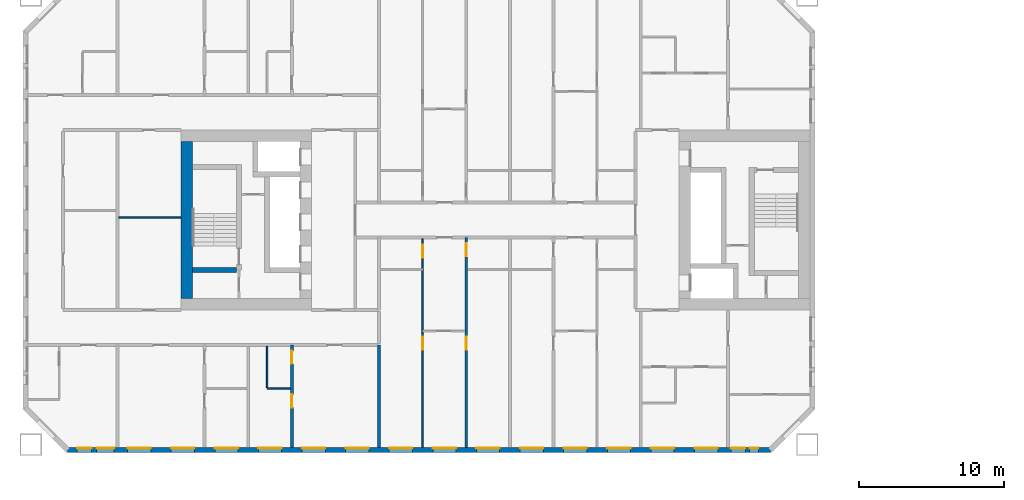
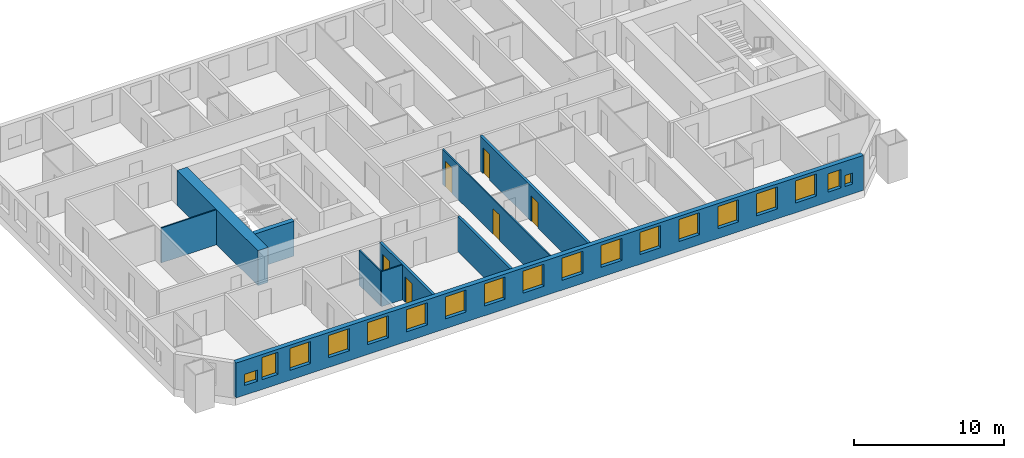
# One storey, part 3 of 17: 18 windows, 10 walls, 6 doors, 24 openings.
"""IFC4 building model written with IfcOpenShell, lengths in metres."""

from ifc_helpers import new_model, si_unit, direction, frame, frame_2d, origin, place, context, subcontext, project, spatial, rectangle, extrude, material, layer, layer_set, type_object, element, fill, save


model = new_model("IFC4")

# Units and contexts
model_context = context("Model", 3, precision=1e-05, world=origin(), true_north=direction((0.0, 1.0)))
body_context = subcontext(model_context, "Body", "Model", "MODEL_VIEW")
ifc_project = project(units=[si_unit("LENGTHUNIT", "METRE"), si_unit("AREAUNIT", "SQUARE_METRE"), si_unit("VOLUMEUNIT", "CUBIC_METRE"), si_unit("PLANEANGLEUNIT", "RADIAN"), si_unit("MASSUNIT", "GRAM", prefix="KILO")], contexts=[model_context])

# Site, building, storey
site_placement = place(None, origin())
site = spatial("IfcSite", under=ifc_project, at=site_placement, CompositionType="ELEMENT")
building_placement = place(site_placement, origin())
building = spatial("IfcBuilding", under=site, at=building_placement, Name="Tuart Gate Housing", CompositionType="ELEMENT")
storey_placement = place(building_placement, frame((0.0, 0.0, 44.300048828125)))
storey = spatial("IfcBuildingStorey", under=building, at=storey_placement, Name="L11", CompositionType="ELEMENT", Elevation=44.300048828125)

# Wall, openings, windows
ifc_material_1 = material(Name="Brick", Category="masonry")
ifc_layer_1 = layer(ifc_material_1, 0.360107421875)
ifc_layer_set_1 = layer_set([ifc_layer_1], Name="Brick pier and spandrel wall 360")
wall_type_1 = type_object("IfcWallType", Name="Brick pier and spandrel wall 360", PredefinedType="STANDARD", material=ifc_layer_set_1)
wall_1_placement = place(storey_placement, frame((24.57470703125, 54.179931640625, 0.0), z_axis=(0.0, 0.0, 1.0), x_axis=(1.0, 0.0, 0.0)))
wall_1 = element("IfcWall", 1, at=wall_1_placement, inside=storey, type_object=wall_type_1, Name="External wall A-S L11", PredefinedType="STANDARD", context=body_context, shape_type="SweptSolid", body=[
    extrude(rectangle(XDim=48.350830078125, YDim=0.360107421875, at=frame_2d((24.17529296875, 0.0))), origin(), (0.0, 0.0, 1.0), 2.849853515625),
])
opening_1_placement = place(wall_1_placement, frame((0.64990234375, 0.0, 0.800048828125)))
opening_1 = element("IfcOpeningElement", 2, at=opening_1_placement, cuts=wall_1, Name="Opening W1U", PredefinedType="OPENING", context=body_context, shape_type="SweptSolid", body=[
    extrude(rectangle(XDim=1.0, YDim=0.89990234375, at=frame_2d((0.5, 0.449951171875))), frame((0.0, 0.18994140625, 0.0), z_axis=(0.0, -1.0, 0.0), x_axis=(1.0, 0.0, 0.0)), (0.0, 0.0, 1.0), 0.380126953125),
])
opening_2_placement = place(wall_1_placement, frame((4.12548828125, 0.0, 0.800048828125)))
opening_2 = element("IfcOpeningElement", 3, at=opening_2_placement, cuts=wall_1, Name="Opening W1", PredefinedType="OPENING", context=body_context, shape_type="SweptSolid", body=[
    extrude(rectangle(XDim=1.60009765625, YDim=1.800048828125, at=frame_2d((0.800048828125, 0.89990234375))), frame((0.0, 0.18994140625, 0.0), z_axis=(0.0, -1.0, 0.0), x_axis=(1.0, 0.0, 0.0)), (0.0, 0.0, 1.0), 0.380126953125),
])
opening_3_placement = place(wall_1_placement, frame((7.12548828125, 0.0, 0.800048828125)))
opening_3 = element("IfcOpeningElement", 4, at=opening_3_placement, cuts=wall_1, Name="Opening W1", PredefinedType="OPENING", context=body_context, shape_type="SweptSolid", body=[
    extrude(rectangle(XDim=1.60009765625, YDim=1.800048828125, at=frame_2d((0.800048828125, 0.89990234375))), frame((0.0, 0.18994140625, 0.0), z_axis=(0.0, -1.0, 0.0), x_axis=(1.0, 0.0, 0.0)), (0.0, 0.0, 1.0), 0.380126953125),
])
opening_4_placement = place(wall_1_placement, frame((10.12548828125, 0.0, 0.800048828125)))
opening_4 = element("IfcOpeningElement", 5, at=opening_4_placement, cuts=wall_1, Name="Opening W1", PredefinedType="OPENING", context=body_context, shape_type="SweptSolid", body=[
    extrude(rectangle(XDim=1.60009765625, YDim=1.800048828125, at=frame_2d((0.800048828125, 0.89990234375))), frame((0.0, 0.18994140625, 0.0), z_axis=(0.0, -1.0, 0.0), x_axis=(1.0, 0.0, 0.0)), (0.0, 0.0, 1.0), 0.380126953125),
])
opening_5_placement = place(wall_1_placement, frame((13.12548828125, 0.0, 0.800048828125)))
opening_5 = element("IfcOpeningElement", 6, at=opening_5_placement, cuts=wall_1, Name="Opening W1", PredefinedType="OPENING", context=body_context, shape_type="SweptSolid", body=[
    extrude(rectangle(XDim=1.60009765625, YDim=1.800048828125, at=frame_2d((0.800048828125, 0.89990234375))), frame((0.0, 0.18994140625, 0.0), z_axis=(0.0, -1.0, 0.0), x_axis=(1.0, 0.0, 0.0)), (0.0, 0.0, 1.0), 0.380126953125),
])
opening_6_placement = place(wall_1_placement, frame((16.12548828125, 0.0, 0.800048828125)))
opening_6 = element("IfcOpeningElement", 7, at=opening_6_placement, cuts=wall_1, Name="Opening W1", PredefinedType="OPENING", context=body_context, shape_type="SweptSolid", body=[
    extrude(rectangle(XDim=1.60009765625, YDim=1.800048828125, at=frame_2d((0.800048828125, 0.89990234375))), frame((0.0, 0.18994140625, 0.0), z_axis=(0.0, -1.0, 0.0), x_axis=(1.0, 0.0, 0.0)), (0.0, 0.0, 1.0), 0.380126953125),
])
opening_7_placement = place(wall_1_placement, frame((19.12548828125, 0.0, 0.800048828125)))
opening_7 = element("IfcOpeningElement", 8, at=opening_7_placement, cuts=wall_1, Name="Opening W1", PredefinedType="OPENING", context=body_context, shape_type="SweptSolid", body=[
    extrude(rectangle(XDim=1.60009765625, YDim=1.800048828125, at=frame_2d((0.800048828125, 0.89990234375))), frame((0.0, 0.18994140625, 0.0), z_axis=(0.0, -1.0, 0.0), x_axis=(1.0, 0.0, 0.0)), (0.0, 0.0, 1.0), 0.380126953125),
])
opening_8_placement = place(wall_1_placement, frame((22.12548828125, 0.0, 0.800048828125)))
opening_8 = element("IfcOpeningElement", 9, at=opening_8_placement, cuts=wall_1, Name="Opening W1", PredefinedType="OPENING", context=body_context, shape_type="SweptSolid", body=[
    extrude(rectangle(XDim=1.60009765625, YDim=1.800048828125, at=frame_2d((0.800048828125, 0.89990234375))), frame((0.0, 0.18994140625, 0.0), z_axis=(0.0, -1.0, 0.0), x_axis=(1.0, 0.0, 0.0)), (0.0, 0.0, 1.0), 0.380126953125),
])
opening_9_placement = place(wall_1_placement, frame((25.12548828125, 0.0, 0.800048828125)))
opening_9 = element("IfcOpeningElement", 10, at=opening_9_placement, cuts=wall_1, Name="Opening W1", PredefinedType="OPENING", context=body_context, shape_type="SweptSolid", body=[
    extrude(rectangle(XDim=1.60009765625, YDim=1.800048828125, at=frame_2d((0.800048828125, 0.89990234375))), frame((0.0, 0.18994140625, 0.0), z_axis=(0.0, -1.0, 0.0), x_axis=(1.0, 0.0, 0.0)), (0.0, 0.0, 1.0), 0.380126953125),
])
opening_10_placement = place(wall_1_placement, frame((28.12548828125, 0.0, 0.800048828125)))
opening_10 = element("IfcOpeningElement", 11, at=opening_10_placement, cuts=wall_1, Name="Opening W1", PredefinedType="OPENING", context=body_context, shape_type="SweptSolid", body=[
    extrude(rectangle(XDim=1.60009765625, YDim=1.800048828125, at=frame_2d((0.800048828125, 0.89990234375))), frame((0.0, 0.18994140625, 0.0), z_axis=(0.0, -1.0, 0.0), x_axis=(1.0, 0.0, 0.0)), (0.0, 0.0, 1.0), 0.380126953125),
])
opening_11_placement = place(wall_1_placement, frame((31.12548828125, 0.0, 0.800048828125)))
opening_11 = element("IfcOpeningElement", 12, at=opening_11_placement, cuts=wall_1, Name="Opening W1", PredefinedType="OPENING", context=body_context, shape_type="SweptSolid", body=[
    extrude(rectangle(XDim=1.60009765625, YDim=1.800048828125, at=frame_2d((0.800048828125, 0.89990234375))), frame((0.0, 0.18994140625, 0.0), z_axis=(0.0, -1.0, 0.0), x_axis=(1.0, 0.0, 0.0)), (0.0, 0.0, 1.0), 0.380126953125),
])
opening_12_placement = place(wall_1_placement, frame((34.12548828125, 0.0, 0.800048828125)))
opening_12 = element("IfcOpeningElement", 13, at=opening_12_placement, cuts=wall_1, Name="Opening W1", PredefinedType="OPENING", context=body_context, shape_type="SweptSolid", body=[
    extrude(rectangle(XDim=1.60009765625, YDim=1.800048828125, at=frame_2d((0.800048828125, 0.89990234375))), frame((0.0, 0.18994140625, 0.0), z_axis=(0.0, -1.0, 0.0), x_axis=(1.0, 0.0, 0.0)), (0.0, 0.0, 1.0), 0.380126953125),
])
opening_13_placement = place(wall_1_placement, frame((37.12548828125, 0.0, 0.800048828125)))
opening_13 = element("IfcOpeningElement", 14, at=opening_13_placement, cuts=wall_1, Name="Opening W1", PredefinedType="OPENING", context=body_context, shape_type="SweptSolid", body=[
    extrude(rectangle(XDim=1.60009765625, YDim=1.800048828125, at=frame_2d((0.800048828125, 0.89990234375))), frame((0.0, 0.18994140625, 0.0), z_axis=(0.0, -1.0, 0.0), x_axis=(1.0, 0.0, 0.0)), (0.0, 0.0, 1.0), 0.380126953125),
])
opening_14_placement = place(wall_1_placement, frame((40.12548828125, 0.0, 0.800048828125)))
opening_14 = element("IfcOpeningElement", 15, at=opening_14_placement, cuts=wall_1, Name="Opening W1", PredefinedType="OPENING", context=body_context, shape_type="SweptSolid", body=[
    extrude(rectangle(XDim=1.60009765625, YDim=1.800048828125, at=frame_2d((0.800048828125, 0.89990234375))), frame((0.0, 0.18994140625, 0.0), z_axis=(0.0, -1.0, 0.0), x_axis=(1.0, 0.0, 0.0)), (0.0, 0.0, 1.0), 0.380126953125),
])
opening_15_placement = place(wall_1_placement, frame((43.12548828125, 0.0, 0.800048828125)))
opening_15 = element("IfcOpeningElement", 16, at=opening_15_placement, cuts=wall_1, Name="Opening W1", PredefinedType="OPENING", context=body_context, shape_type="SweptSolid", body=[
    extrude(rectangle(XDim=1.60009765625, YDim=1.800048828125, at=frame_2d((0.800048828125, 0.89990234375))), frame((0.0, 0.18994140625, 0.0), z_axis=(0.0, -1.0, 0.0), x_axis=(1.0, 0.0, 0.0)), (0.0, 0.0, 1.0), 0.380126953125),
])
opening_16_placement = place(wall_1_placement, frame((45.62548828125, 0.0, 0.800048828125)))
opening_16 = element("IfcOpeningElement", 17, at=opening_16_placement, cuts=wall_1, Name="Opening W1I", PredefinedType="OPENING", context=body_context, shape_type="SweptSolid", body=[
    extrude(rectangle(XDim=1.0, YDim=1.5, at=frame_2d((0.5, 0.75))), frame((0.0, 0.18994140625, 0.0), z_axis=(0.0, -1.0, 0.0), x_axis=(1.0, 0.0, 0.0)), (0.0, 0.0, 1.0), 0.380126953125),
])
opening_17_placement = place(wall_1_placement, frame((2.0, 0.0, 0.800048828125)))
opening_17 = element("IfcOpeningElement", 18, at=opening_17_placement, cuts=wall_1, Name="Opening W1B", PredefinedType="OPENING", context=body_context, shape_type="SweptSolid", body=[
    extrude(rectangle(XDim=1.199951171875, YDim=1.800048828125, at=frame_2d((0.60009765625, 0.89990234375))), frame((0.0, 0.18994140625, 0.0), z_axis=(0.0, -1.0, 0.0), x_axis=(1.0, 0.0, 0.0)), (0.0, 0.0, 1.0), 0.380126953125),
])
opening_18_placement = place(wall_1_placement, frame((46.92529296875, 0.0, 0.800048828125)))
opening_18 = element("IfcOpeningElement", 19, at=opening_18_placement, cuts=wall_1, Name="Opening W1W", PredefinedType="OPENING", context=body_context, shape_type="SweptSolid", body=[
    extrude(rectangle(XDim=0.60009765625, YDim=0.89990234375, at=frame_2d((0.300048828125, 0.449951171875))), frame((0.0, 0.18994140625, 0.0), z_axis=(0.0, -1.0, 0.0), x_axis=(1.0, 0.0, 0.0)), (0.0, 0.0, 1.0), 0.380126953125),
])
ifc_material_2 = material(Name="Aluminium frame with clear glass", Category="aluminium")
window_type_1 = type_object("IfcWindowType", Name="Punched window 1000 x 1500", PartitioningType="SINGLE_PANEL", PredefinedType="WINDOW", material=ifc_material_2)
window_1_placement = place(opening_16_placement, origin())
window_1 = element("IfcWindow", 20, at=window_1_placement, inside=storey, type_object=window_type_1, Name="Window W1I", OverallHeight=1.5, OverallWidth=1.0, PartitioningType="SINGLE_PANEL", PredefinedType="WINDOW", context=body_context, shape_type="SweptSolid", body=[
    extrude(rectangle(XDim=1.0, YDim=1.5, at=frame_2d((0.5, 0.75))), frame((0.0, 0.150146484375, 0.0), z_axis=(0.0, -1.0, 0.0), x_axis=(1.0, 0.0, 0.0)), (0.0, 0.0, 1.0), 0.06005859375),
])
fill(opening_16, window_1)
ifc_material_3 = material(Name="Aluminium frame with clear glass", Category="aluminium")
window_type_2 = type_object("IfcWindowType", Name="Punched window 1000 x 900", PartitioningType="SINGLE_PANEL", PredefinedType="WINDOW", material=ifc_material_3)
window_2_placement = place(opening_1_placement, origin())
window_2 = element("IfcWindow", 21, at=window_2_placement, inside=storey, type_object=window_type_2, Name="Window W1U", OverallHeight=0.89990234375, OverallWidth=1.0, PartitioningType="SINGLE_PANEL", PredefinedType="WINDOW", context=body_context, shape_type="SweptSolid", body=[
    extrude(rectangle(XDim=1.0, YDim=0.89990234375, at=frame_2d((0.5, 0.449951171875))), frame((0.0, 0.150146484375, 0.0), z_axis=(0.0, -1.0, 0.0), x_axis=(1.0, 0.0, 0.0)), (0.0, 0.0, 1.0), 0.06005859375),
])
fill(opening_1, window_2)
ifc_material_4 = material(Name="Aluminium frame with clear glass", Category="aluminium")
window_type_3 = type_object("IfcWindowType", Name="Punched window 1200 x 1800", PartitioningType="SINGLE_PANEL", PredefinedType="WINDOW", material=ifc_material_4)
window_3_placement = place(opening_17_placement, origin())
window_3 = element("IfcWindow", 22, at=window_3_placement, inside=storey, type_object=window_type_3, Name="Window W1B", OverallHeight=1.800048828125, OverallWidth=1.199951171875, PartitioningType="SINGLE_PANEL", PredefinedType="WINDOW", context=body_context, shape_type="SweptSolid", body=[
    extrude(rectangle(XDim=1.199951171875, YDim=1.800048828125, at=frame_2d((0.60009765625, 0.89990234375))), frame((0.0, 0.150146484375, 0.0), z_axis=(0.0, -1.0, 0.0), x_axis=(1.0, 0.0, 0.0)), (0.0, 0.0, 1.0), 0.06005859375),
])
fill(opening_17, window_3)
ifc_material_5 = material(Name="Aluminium frame with clear glass", Category="aluminium")
window_type_4 = type_object("IfcWindowType", Name="Punched window 1600 x 1800", PartitioningType="SINGLE_PANEL", PredefinedType="WINDOW", material=ifc_material_5)
window_4_placement = place(opening_2_placement, origin())
window_4 = element("IfcWindow", 23, at=window_4_placement, inside=storey, type_object=window_type_4, Name="Window W1", OverallHeight=1.800048828125, OverallWidth=1.60009765625, PartitioningType="SINGLE_PANEL", PredefinedType="WINDOW", context=body_context, shape_type="SweptSolid", body=[
    extrude(rectangle(XDim=1.60009765625, YDim=1.800048828125, at=frame_2d((0.800048828125, 0.89990234375))), frame((0.0, 0.150146484375, 0.0), z_axis=(0.0, -1.0, 0.0), x_axis=(1.0, 0.0, 0.0)), (0.0, 0.0, 1.0), 0.06005859375),
])
fill(opening_2, window_4)
window_5_placement = place(opening_3_placement, origin())
window_5 = element("IfcWindow", 24, at=window_5_placement, inside=storey, type_object=window_type_4, Name="Window W1", OverallHeight=1.800048828125, OverallWidth=1.60009765625, PartitioningType="SINGLE_PANEL", PredefinedType="WINDOW", context=body_context, shape_type="SweptSolid", body=[
    extrude(rectangle(XDim=1.60009765625, YDim=1.800048828125, at=frame_2d((0.800048828125, 0.89990234375))), frame((0.0, 0.150146484375, 0.0), z_axis=(0.0, -1.0, 0.0), x_axis=(1.0, 0.0, 0.0)), (0.0, 0.0, 1.0), 0.06005859375),
])
fill(opening_3, window_5)
window_6_placement = place(opening_4_placement, origin())
window_6 = element("IfcWindow", 25, at=window_6_placement, inside=storey, type_object=window_type_4, Name="Window W1", OverallHeight=1.800048828125, OverallWidth=1.60009765625, PartitioningType="SINGLE_PANEL", PredefinedType="WINDOW", context=body_context, shape_type="SweptSolid", body=[
    extrude(rectangle(XDim=1.60009765625, YDim=1.800048828125, at=frame_2d((0.800048828125, 0.89990234375))), frame((0.0, 0.150146484375, 0.0), z_axis=(0.0, -1.0, 0.0), x_axis=(1.0, 0.0, 0.0)), (0.0, 0.0, 1.0), 0.06005859375),
])
fill(opening_4, window_6)
window_7_placement = place(opening_5_placement, origin())
window_7 = element("IfcWindow", 26, at=window_7_placement, inside=storey, type_object=window_type_4, Name="Window W1", OverallHeight=1.800048828125, OverallWidth=1.60009765625, PartitioningType="SINGLE_PANEL", PredefinedType="WINDOW", context=body_context, shape_type="SweptSolid", body=[
    extrude(rectangle(XDim=1.60009765625, YDim=1.800048828125, at=frame_2d((0.800048828125, 0.89990234375))), frame((0.0, 0.150146484375, 0.0), z_axis=(0.0, -1.0, 0.0), x_axis=(1.0, 0.0, 0.0)), (0.0, 0.0, 1.0), 0.06005859375),
])
fill(opening_5, window_7)
window_8_placement = place(opening_6_placement, origin())
window_8 = element("IfcWindow", 27, at=window_8_placement, inside=storey, type_object=window_type_4, Name="Window W1", OverallHeight=1.800048828125, OverallWidth=1.60009765625, PartitioningType="SINGLE_PANEL", PredefinedType="WINDOW", context=body_context, shape_type="SweptSolid", body=[
    extrude(rectangle(XDim=1.60009765625, YDim=1.800048828125, at=frame_2d((0.800048828125, 0.89990234375))), frame((0.0, 0.150146484375, 0.0), z_axis=(0.0, -1.0, 0.0), x_axis=(1.0, 0.0, 0.0)), (0.0, 0.0, 1.0), 0.06005859375),
])
fill(opening_6, window_8)
window_9_placement = place(opening_7_placement, origin())
window_9 = element("IfcWindow", 28, at=window_9_placement, inside=storey, type_object=window_type_4, Name="Window W1", OverallHeight=1.800048828125, OverallWidth=1.60009765625, PartitioningType="SINGLE_PANEL", PredefinedType="WINDOW", context=body_context, shape_type="SweptSolid", body=[
    extrude(rectangle(XDim=1.60009765625, YDim=1.800048828125, at=frame_2d((0.800048828125, 0.89990234375))), frame((0.0, 0.150146484375, 0.0), z_axis=(0.0, -1.0, 0.0), x_axis=(1.0, 0.0, 0.0)), (0.0, 0.0, 1.0), 0.06005859375),
])
fill(opening_7, window_9)
window_10_placement = place(opening_8_placement, origin())
window_10 = element("IfcWindow", 29, at=window_10_placement, inside=storey, type_object=window_type_4, Name="Window W1", OverallHeight=1.800048828125, OverallWidth=1.60009765625, PartitioningType="SINGLE_PANEL", PredefinedType="WINDOW", context=body_context, shape_type="SweptSolid", body=[
    extrude(rectangle(XDim=1.60009765625, YDim=1.800048828125, at=frame_2d((0.800048828125, 0.89990234375))), frame((0.0, 0.150146484375, 0.0), z_axis=(0.0, -1.0, 0.0), x_axis=(1.0, 0.0, 0.0)), (0.0, 0.0, 1.0), 0.06005859375),
])
fill(opening_8, window_10)
window_11_placement = place(opening_9_placement, origin())
window_11 = element("IfcWindow", 30, at=window_11_placement, inside=storey, type_object=window_type_4, Name="Window W1", OverallHeight=1.800048828125, OverallWidth=1.60009765625, PartitioningType="SINGLE_PANEL", PredefinedType="WINDOW", context=body_context, shape_type="SweptSolid", body=[
    extrude(rectangle(XDim=1.60009765625, YDim=1.800048828125, at=frame_2d((0.800048828125, 0.89990234375))), frame((0.0, 0.150146484375, 0.0), z_axis=(0.0, -1.0, 0.0), x_axis=(1.0, 0.0, 0.0)), (0.0, 0.0, 1.0), 0.06005859375),
])
fill(opening_9, window_11)
window_12_placement = place(opening_10_placement, origin())
window_12 = element("IfcWindow", 31, at=window_12_placement, inside=storey, type_object=window_type_4, Name="Window W1", OverallHeight=1.800048828125, OverallWidth=1.60009765625, PartitioningType="SINGLE_PANEL", PredefinedType="WINDOW", context=body_context, shape_type="SweptSolid", body=[
    extrude(rectangle(XDim=1.60009765625, YDim=1.800048828125, at=frame_2d((0.800048828125, 0.89990234375))), frame((0.0, 0.150146484375, 0.0), z_axis=(0.0, -1.0, 0.0), x_axis=(1.0, 0.0, 0.0)), (0.0, 0.0, 1.0), 0.06005859375),
])
fill(opening_10, window_12)
window_13_placement = place(opening_11_placement, origin())
window_13 = element("IfcWindow", 32, at=window_13_placement, inside=storey, type_object=window_type_4, Name="Window W1", OverallHeight=1.800048828125, OverallWidth=1.60009765625, PartitioningType="SINGLE_PANEL", PredefinedType="WINDOW", context=body_context, shape_type="SweptSolid", body=[
    extrude(rectangle(XDim=1.60009765625, YDim=1.800048828125, at=frame_2d((0.800048828125, 0.89990234375))), frame((0.0, 0.150146484375, 0.0), z_axis=(0.0, -1.0, 0.0), x_axis=(1.0, 0.0, 0.0)), (0.0, 0.0, 1.0), 0.06005859375),
])
fill(opening_11, window_13)
window_14_placement = place(opening_12_placement, origin())
window_14 = element("IfcWindow", 33, at=window_14_placement, inside=storey, type_object=window_type_4, Name="Window W1", OverallHeight=1.800048828125, OverallWidth=1.60009765625, PartitioningType="SINGLE_PANEL", PredefinedType="WINDOW", context=body_context, shape_type="SweptSolid", body=[
    extrude(rectangle(XDim=1.60009765625, YDim=1.800048828125, at=frame_2d((0.800048828125, 0.89990234375))), frame((0.0, 0.150146484375, 0.0), z_axis=(0.0, -1.0, 0.0), x_axis=(1.0, 0.0, 0.0)), (0.0, 0.0, 1.0), 0.06005859375),
])
fill(opening_12, window_14)
window_15_placement = place(opening_13_placement, origin())
window_15 = element("IfcWindow", 34, at=window_15_placement, inside=storey, type_object=window_type_4, Name="Window W1", OverallHeight=1.800048828125, OverallWidth=1.60009765625, PartitioningType="SINGLE_PANEL", PredefinedType="WINDOW", context=body_context, shape_type="SweptSolid", body=[
    extrude(rectangle(XDim=1.60009765625, YDim=1.800048828125, at=frame_2d((0.800048828125, 0.89990234375))), frame((0.0, 0.150146484375, 0.0), z_axis=(0.0, -1.0, 0.0), x_axis=(1.0, 0.0, 0.0)), (0.0, 0.0, 1.0), 0.06005859375),
])
fill(opening_13, window_15)
window_16_placement = place(opening_14_placement, origin())
window_16 = element("IfcWindow", 35, at=window_16_placement, inside=storey, type_object=window_type_4, Name="Window W1", OverallHeight=1.800048828125, OverallWidth=1.60009765625, PartitioningType="SINGLE_PANEL", PredefinedType="WINDOW", context=body_context, shape_type="SweptSolid", body=[
    extrude(rectangle(XDim=1.60009765625, YDim=1.800048828125, at=frame_2d((0.800048828125, 0.89990234375))), frame((0.0, 0.150146484375, 0.0), z_axis=(0.0, -1.0, 0.0), x_axis=(1.0, 0.0, 0.0)), (0.0, 0.0, 1.0), 0.06005859375),
])
fill(opening_14, window_16)
window_17_placement = place(opening_15_placement, origin())
window_17 = element("IfcWindow", 36, at=window_17_placement, inside=storey, type_object=window_type_4, Name="Window W1", OverallHeight=1.800048828125, OverallWidth=1.60009765625, PartitioningType="SINGLE_PANEL", PredefinedType="WINDOW", context=body_context, shape_type="SweptSolid", body=[
    extrude(rectangle(XDim=1.60009765625, YDim=1.800048828125, at=frame_2d((0.800048828125, 0.89990234375))), frame((0.0, 0.150146484375, 0.0), z_axis=(0.0, -1.0, 0.0), x_axis=(1.0, 0.0, 0.0)), (0.0, 0.0, 1.0), 0.06005859375),
])
fill(opening_15, window_17)
ifc_material_6 = material(Name="Aluminium frame with clear glass", Category="aluminium")
window_type_5 = type_object("IfcWindowType", Name="Punched window 600 x 900", PartitioningType="SINGLE_PANEL", PredefinedType="WINDOW", material=ifc_material_6)
window_18_placement = place(opening_18_placement, origin())
window_18 = element("IfcWindow", 37, at=window_18_placement, inside=storey, type_object=window_type_5, Name="Window W1W", OverallHeight=0.89990234375, OverallWidth=0.60009765625, PartitioningType="SINGLE_PANEL", PredefinedType="WINDOW", context=body_context, shape_type="SweptSolid", body=[
    extrude(rectangle(XDim=0.60009765625, YDim=0.89990234375, at=frame_2d((0.300048828125, 0.449951171875))), frame((0.0, 0.150146484375, 0.0), z_axis=(0.0, -1.0, 0.0), x_axis=(1.0, 0.0, 0.0)), (0.0, 0.0, 1.0), 0.06005859375),
])
fill(opening_18, window_18)

# Walls
ifc_material_7 = material(Name="Concrete C60", Category="concrete")
ifc_layer_2 = layer(ifc_material_7, 0.35009765625)
ifc_layer_set_2 = layer_set([ifc_layer_2], Name="Core wall 350 C60")
wall_type_2 = type_object("IfcWallType", Name="Core wall 350 C60", PredefinedType="SHEAR", material=ifc_layer_set_2)
wall_2_placement = place(storey_placement, frame((36.18505859375, 66.550048828125, 0.0), z_axis=(0.0, 0.0, 1.0), x_axis=(-1.0, 0.0, 0.0)))
element("IfcWall", 38, at=wall_2_placement, inside=storey, type_object=wall_type_2, Name="Core wall AK.5", PredefinedType="SHEAR", context=body_context, shape_type="SweptSolid", body=[
    extrude(rectangle(XDim=3.025146484375, YDim=0.35009765625, at=frame_2d((1.5126953125, 0.0))), origin(), (0.0, 0.0, 1.0), 2.849853515625),
])
ifc_material_8 = material(Name="Concrete C60", Category="concrete")
ifc_layer_3 = layer(ifc_material_8, 0.800048828125)
ifc_layer_set_3 = layer_set([ifc_layer_3], Name="Core wall 800 C60")
wall_type_3 = type_object("IfcWallType", Name="Core wall 800 C60", PredefinedType="SHEAR", material=ifc_layer_set_3)
wall_3_placement = place(storey_placement, frame((32.760009765625, 75.39990234375, 0.0), z_axis=(0.0, 0.0, 1.0), x_axis=(0.0, -1.0, 0.0)))
element("IfcWall", 39, at=wall_3_placement, inside=storey, type_object=wall_type_3, Name="Core wall AK back", PredefinedType="SHEAR", context=body_context, shape_type="SweptSolid", body=[
    extrude(rectangle(XDim=10.7998046875, YDim=0.800048828125, at=frame_2d((5.39990234375, 0.0))), origin(), (0.0, 0.0, 1.0), 2.849853515625),
])
ifc_material_9 = material(Name="Gypsum board on steel studs", Category="steel")
ifc_layer_4 = layer(ifc_material_9, 0.10009765625)
ifc_layer_set_4 = layer_set([ifc_layer_4], Name="Partition 100")
wall_type_4 = type_object("IfcWallType", Name="Partition 100", PredefinedType="PARTITIONING", material=ifc_layer_set_4)
wall_4_placement = place(storey_placement, frame((38.300048828125, 58.39990234375, 0.0), z_axis=(0.0, 0.0, 1.0), x_axis=(1.0, 0.0, 0.0)))
element("IfcWall", 40, at=wall_4_placement, inside=storey, type_object=wall_type_4, Name="Partition 100", PredefinedType="PARTITIONING", context=body_context, shape_type="SweptSolid", body=[
    extrude(rectangle(XDim=1.599853515625, YDim=0.10009765625, at=frame_2d((0.7998046875, 0.0))), origin(), (0.0, 0.0, 1.0), 2.849853515625),
])
wall_5_placement = place(storey_placement, frame((28.10009765625, 70.159912109375, 0.0), z_axis=(0.0, 0.0, 1.0), x_axis=(1.0, 0.0, 0.0)))
element("IfcWall", 41, at=wall_5_placement, inside=storey, type_object=wall_type_4, Name="Partition 100", PredefinedType="PARTITIONING", context=body_context, shape_type="SweptSolid", body=[
    extrude(rectangle(XDim=4.260009765625, YDim=0.10009765625, at=frame_2d((2.1298828125, 0.0))), origin(), (0.0, 0.0, 1.0), 2.849853515625),
])
wall_6_placement = place(storey_placement, frame((38.300048828125, 58.449951171875, 0.0), z_axis=(0.0, 0.0, 1.0), x_axis=(0.0, 1.0, 0.0)))
element("IfcWall", 42, at=wall_6_placement, inside=storey, type_object=wall_type_4, Name="Partition 100", PredefinedType="PARTITIONING", context=body_context, shape_type="SweptSolid", body=[
    extrude(rectangle(XDim=2.85009765625, YDim=0.10009765625, at=frame_2d((1.425048828125, 0.0))), origin(), (0.0, 0.0, 1.0), 2.849853515625),
])

# Wall, openings, doors
wall_7_placement = place(storey_placement, frame((49.0, 54.360107421875, 0.0), z_axis=(0.0, 0.0, 1.0), x_axis=(0.0, 1.0, 0.0)))
wall_7 = element("IfcWall", 43, at=wall_7_placement, inside=storey, type_object=wall_type_4, Name="Partition 100", PredefinedType="PARTITIONING", context=body_context, shape_type="SweptSolid", body=[
    extrude(rectangle(XDim=14.33984375, YDim=0.10009765625, at=frame_2d((7.169921875, 0.0))), origin(), (0.0, 0.0, 1.0), 2.849853515625),
])
opening_19_placement = place(wall_7_placement, frame((6.699951171875, 0.0, 0.0)))
opening_19 = element("IfcOpeningElement", 44, at=opening_19_placement, cuts=wall_7, Name="Opening D641", PredefinedType="OPENING", context=body_context, shape_type="SweptSolid", body=[
    extrude(rectangle(XDim=0.89990234375, YDim=2.10009765625, at=frame_2d((0.449951171875, 1.050048828125))), frame((0.0, 0.06005859375, 0.0), z_axis=(0.0, -1.0, 0.0), x_axis=(1.0, 0.0, 0.0)), (0.0, 0.0, 1.0), 0.1201171875),
])
opening_20_placement = place(wall_7_placement, frame((13.0400390625, 0.0, 0.0)))
opening_20 = element("IfcOpeningElement", 45, at=opening_20_placement, cuts=wall_7, Name="Opening D640", PredefinedType="OPENING", context=body_context, shape_type="SweptSolid", body=[
    extrude(rectangle(XDim=0.89990234375, YDim=2.10009765625, at=frame_2d((0.449951171875, 1.050048828125))), frame((0.0, 0.06005859375, 0.0), z_axis=(0.0, -1.0, 0.0), x_axis=(1.0, 0.0, 0.0)), (0.0, 0.0, 1.0), 0.1201171875),
])
ifc_material_10 = material(Name="Timber door leaf in steel frame", Category="steel")
door_type_1 = type_object("IfcDoorType", Name="Bathroom door 900 RH", OperationType="SINGLE_SWING_RIGHT", PredefinedType="DOOR", material=ifc_material_10)
door_1_placement = place(opening_20_placement, origin())
door_1 = element("IfcDoor", 46, at=door_1_placement, inside=storey, type_object=door_type_1, Name="Bathroom door", OperationType="SINGLE_SWING_RIGHT", OverallHeight=2.10009765625, OverallWidth=0.89990234375, PredefinedType="DOOR", context=body_context, shape_type="SweptSolid", body=[
    extrude(rectangle(XDim=0.89990234375, YDim=2.10009765625, at=frame_2d((0.449951171875, 1.050048828125))), frame((0.0, 0.02490234375, 0.0), z_axis=(0.0, -1.0, 0.0), x_axis=(1.0, 0.0, 0.0)), (0.0, 0.0, 1.0), 0.050048828125),
])
fill(opening_20, door_1)
ifc_material_11 = material(Name="Timber door leaf in steel frame", Category="steel")
door_type_2 = type_object("IfcDoorType", Name="Internal door 900 RH", OperationType="SINGLE_SWING_RIGHT", PredefinedType="DOOR", material=ifc_material_11)
door_2_placement = place(opening_19_placement, origin())
door_2 = element("IfcDoor", 47, at=door_2_placement, inside=storey, type_object=door_type_2, Name="Internal door", OperationType="SINGLE_SWING_RIGHT", OverallHeight=2.10009765625, OverallWidth=0.89990234375, PredefinedType="DOOR", context=body_context, shape_type="SweptSolid", body=[
    extrude(rectangle(XDim=0.89990234375, YDim=2.10009765625, at=frame_2d((0.449951171875, 1.050048828125))), frame((0.0, 0.02490234375, 0.0), z_axis=(0.0, -1.0, 0.0), x_axis=(1.0, 0.0, 0.0)), (0.0, 0.0, 1.0), 0.050048828125),
])
fill(opening_19, door_2)

ifc_material_12 = material(Name="Concrete C40", Category="concrete")
ifc_layer_5 = layer(ifc_material_12, 0.199951171875)
ifc_layer_set_5 = layer_set([ifc_layer_5], Name="Party wall concrete C40 200")
wall_type_5 = type_object("IfcWallType", Name="Party wall concrete C40 200", PredefinedType="SOLIDWALL", material=ifc_layer_set_5)
wall_8_placement = place(storey_placement, frame((40.0, 54.360107421875, 0.0), z_axis=(0.0, 0.0, 1.0), x_axis=(0.0, 1.0, 0.0)))
wall_8 = element("IfcWall", 48, at=wall_8_placement, inside=storey, type_object=wall_type_5, Name="Party wall concrete C40 200", PredefinedType="SOLIDWALL", context=body_context, shape_type="SweptSolid", body=[
    extrude(rectangle(XDim=7.039794921875, YDim=0.199951171875, at=frame_2d((3.52001953125, 0.0))), origin(), (0.0, 0.0, 1.0), 2.849853515625),
])
opening_21_placement = place(wall_8_placement, frame((2.739990234375, 0.0, 0.0)))
opening_21 = element("IfcOpeningElement", 49, at=opening_21_placement, cuts=wall_8, Name="Opening D655", PredefinedType="OPENING", context=body_context, shape_type="SweptSolid", body=[
    extrude(rectangle(XDim=0.89990234375, YDim=2.10009765625, at=frame_2d((0.449951171875, 1.050048828125))), frame((0.0, 0.10986328125, 0.0), z_axis=(0.0, -1.0, 0.0), x_axis=(1.0, 0.0, 0.0)), (0.0, 0.0, 1.0), 0.219970703125),
])
opening_22_placement = place(wall_8_placement, frame((5.739990234375, 0.0, 0.0)))
opening_22 = element("IfcOpeningElement", 50, at=opening_22_placement, cuts=wall_8, Name="Opening D654", PredefinedType="OPENING", context=body_context, shape_type="SweptSolid", body=[
    extrude(rectangle(XDim=0.89990234375, YDim=2.10009765625, at=frame_2d((0.449951171875, 1.050048828125))), frame((0.0, 0.10986328125, 0.0), z_axis=(0.0, -1.0, 0.0), x_axis=(1.0, 0.0, 0.0)), (0.0, 0.0, 1.0), 0.219970703125),
])
door_3_placement = place(opening_22_placement, origin())
door_3 = element("IfcDoor", 51, at=door_3_placement, inside=storey, type_object=door_type_1, Name="Bathroom door", OperationType="SINGLE_SWING_RIGHT", OverallHeight=2.10009765625, OverallWidth=0.89990234375, PredefinedType="DOOR", context=body_context, shape_type="SweptSolid", body=[
    extrude(rectangle(XDim=0.89990234375, YDim=2.10009765625, at=frame_2d((0.449951171875, 1.050048828125))), frame((0.0, 0.02490234375, 0.0), z_axis=(0.0, -1.0, 0.0), x_axis=(1.0, 0.0, 0.0)), (0.0, 0.0, 1.0), 0.050048828125),
])
fill(opening_22, door_3)
door_4_placement = place(opening_21_placement, origin())
door_4 = element("IfcDoor", 52, at=door_4_placement, inside=storey, type_object=door_type_2, Name="Internal door", OperationType="SINGLE_SWING_RIGHT", OverallHeight=2.10009765625, OverallWidth=0.89990234375, PredefinedType="DOOR", context=body_context, shape_type="SweptSolid", body=[
    extrude(rectangle(XDim=0.89990234375, YDim=2.10009765625, at=frame_2d((0.449951171875, 1.050048828125))), frame((0.0, 0.02490234375, 0.0), z_axis=(0.0, -1.0, 0.0), x_axis=(1.0, 0.0, 0.0)), (0.0, 0.0, 1.0), 0.050048828125),
])
fill(opening_21, door_4)

# Wall
wall_9_placement = place(storey_placement, frame((46.0, 54.360107421875, 0.0), z_axis=(0.0, 0.0, 1.0), x_axis=(0.0, 1.0, 0.0)))
element("IfcWall", 53, at=wall_9_placement, inside=storey, type_object=wall_type_5, Name="Party wall concrete C40 200", PredefinedType="SOLIDWALL", context=body_context, shape_type="SweptSolid", body=[
    extrude(rectangle(XDim=7.039794921875, YDim=0.199951171875, at=frame_2d((3.52001953125, 0.0))), origin(), (0.0, 0.0, 1.0), 2.849853515625),
])

# Wall, openings, doors
wall_10_placement = place(storey_placement, frame((52.0, 54.360107421875, 0.0), z_axis=(0.0, 0.0, 1.0), x_axis=(0.0, 1.0, 0.0)))
wall_10 = element("IfcWall", 54, at=wall_10_placement, inside=storey, type_object=wall_type_5, Name="Party wall concrete C40 200", PredefinedType="SOLIDWALL", context=body_context, shape_type="SweptSolid", body=[
    extrude(rectangle(XDim=14.43994140625, YDim=0.199951171875, at=frame_2d((7.219970703125, 0.0))), origin(), (0.0, 0.0, 1.0), 2.849853515625),
])
opening_23_placement = place(wall_10_placement, frame((6.699951171875, 0.0, 0.0)))
opening_23 = element("IfcOpeningElement", 55, at=opening_23_placement, cuts=wall_10, Name="Opening D637", PredefinedType="OPENING", context=body_context, shape_type="SweptSolid", body=[
    extrude(rectangle(XDim=0.89990234375, YDim=2.10009765625, at=frame_2d((0.449951171875, 1.050048828125))), frame((0.0, 0.10986328125, 0.0), z_axis=(0.0, -1.0, 0.0), x_axis=(1.0, 0.0, 0.0)), (0.0, 0.0, 1.0), 0.219970703125),
])
opening_24_placement = place(wall_10_placement, frame((13.139892578125, 0.0, 0.0)))
opening_24 = element("IfcOpeningElement", 56, at=opening_24_placement, cuts=wall_10, Name="Opening D636", PredefinedType="OPENING", context=body_context, shape_type="SweptSolid", body=[
    extrude(rectangle(XDim=0.89990234375, YDim=2.10009765625, at=frame_2d((0.449951171875, 1.050048828125))), frame((0.0, 0.10986328125, 0.0), z_axis=(0.0, -1.0, 0.0), x_axis=(1.0, 0.0, 0.0)), (0.0, 0.0, 1.0), 0.219970703125),
])
ifc_material_13 = material(Name="Timber door leaf in steel frame", Category="steel")
door_type_3 = type_object("IfcDoorType", Name="Bathroom door 900", OperationType="SINGLE_SWING_LEFT", PredefinedType="DOOR", material=ifc_material_13)
door_5_placement = place(opening_24_placement, frame((0.89990234375, 0.0, 0.0), z_axis=(0.0, 0.0, 1.0), x_axis=(-1.0, 0.0, 0.0)))
door_5 = element("IfcDoor", 57, at=door_5_placement, inside=storey, type_object=door_type_3, Name="Bathroom door", OperationType="SINGLE_SWING_LEFT", OverallHeight=2.10009765625, OverallWidth=0.89990234375, PredefinedType="DOOR", context=body_context, shape_type="SweptSolid", body=[
    extrude(rectangle(XDim=0.89990234375, YDim=2.10009765625, at=frame_2d((0.449951171875, 1.050048828125))), frame((0.0, 0.025146484375, 0.0), z_axis=(0.0, -1.0, 0.0), x_axis=(1.0, 0.0, 0.0)), (0.0, 0.0, 1.0), 0.050048828125),
])
fill(opening_24, door_5)
ifc_material_14 = material(Name="Timber door leaf in steel frame", Category="steel")
door_type_4 = type_object("IfcDoorType", Name="Internal door 900", OperationType="SINGLE_SWING_LEFT", PredefinedType="DOOR", material=ifc_material_14)
door_6_placement = place(opening_23_placement, frame((0.89990234375, 0.0, 0.0), z_axis=(0.0, 0.0, 1.0), x_axis=(-1.0, 0.0, 0.0)))
door_6 = element("IfcDoor", 58, at=door_6_placement, inside=storey, type_object=door_type_4, Name="Internal door", OperationType="SINGLE_SWING_LEFT", OverallHeight=2.10009765625, OverallWidth=0.89990234375, PredefinedType="DOOR", context=body_context, shape_type="SweptSolid", body=[
    extrude(rectangle(XDim=0.89990234375, YDim=2.10009765625, at=frame_2d((0.449951171875, 1.050048828125))), frame((0.0, 0.025146484375, 0.0), z_axis=(0.0, -1.0, 0.0), x_axis=(1.0, 0.0, 0.0)), (0.0, 0.0, 1.0), 0.050048828125),
])
fill(opening_23, door_6)

save(model, "model.ifc")
